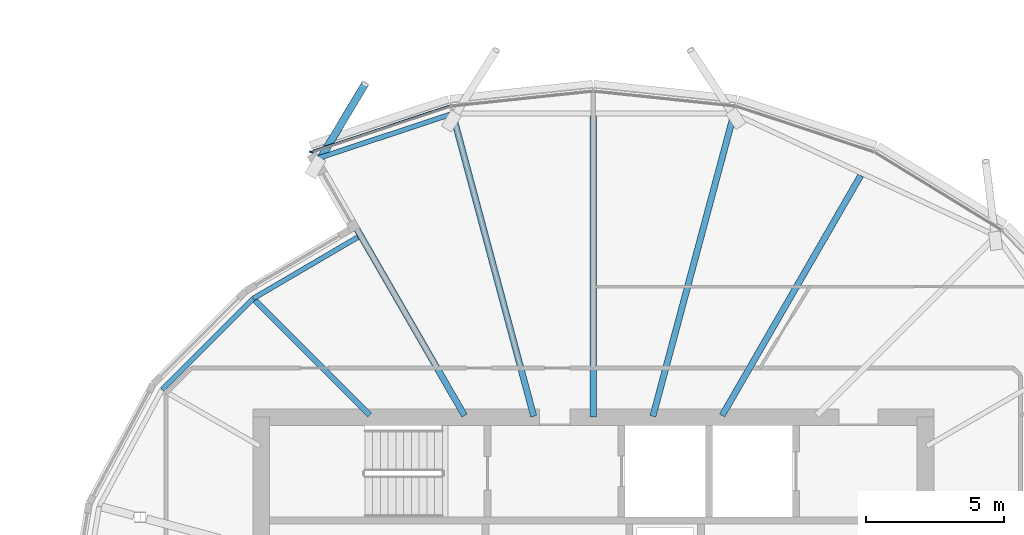
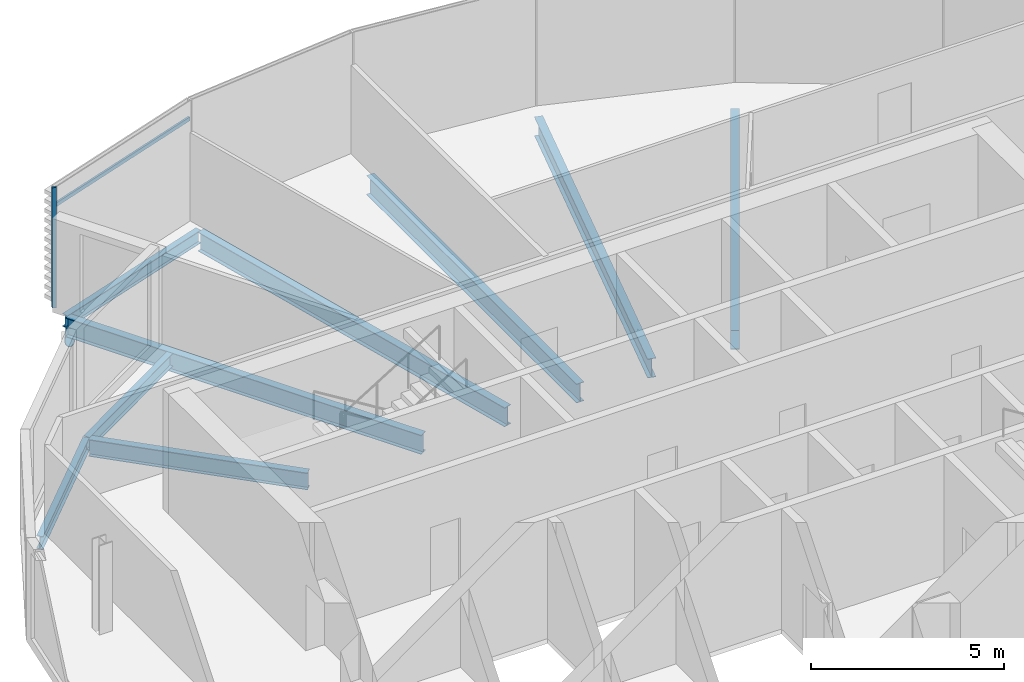
# One storey, part 8 of 37: 9 beams, 3 members, 1 element without a shape of its own.
"""IFC4 building model written with IfcOpenShell, lengths in metres."""

from ifc_helpers import new_model, si_unit, direction, frame, origin, origin_2d, place, context, subcontext, project, spatial, rectangle, hollow_circle, i_section, extrude, clip, halfspace, material, material_profile, profile_set, type_object, element, aggregate, save


model = new_model("IFC4")

# Units and contexts
model_context = context("Model", 3, precision=1e-05, world=origin(), true_north=direction((0.0, 1.0)))
body_context = subcontext(model_context, "Body", "Model", "MODEL_VIEW")
ifc_project = project(units=[si_unit("LENGTHUNIT", "METRE"), si_unit("AREAUNIT", "SQUARE_METRE"), si_unit("VOLUMEUNIT", "CUBIC_METRE"), si_unit("PLANEANGLEUNIT", "RADIAN"), si_unit("MASSUNIT", "GRAM", prefix="KILO")], contexts=[model_context])

# Site, building, storey
site_placement = place(None, origin())
site = spatial("IfcSite", under=ifc_project, at=site_placement, CompositionType="ELEMENT")
building_placement = place(site_placement, origin())
building = spatial("IfcBuilding", under=site, at=building_placement, Name="Rimbun Link Towers", CompositionType="ELEMENT")
storey_placement = place(building_placement, frame((0.0, 0.0, 177.89990234375)))
storey = spatial("IfcBuildingStorey", under=building, at=storey_placement, Name="L43", CompositionType="ELEMENT", Elevation=177.89990234375)

# Curtain wall, members
ifc_material_1 = material(Name="Aluminium 6063-T6 and low-iron glass", Category="aluminium")
curtain_wall_type = type_object("IfcCurtainWallType", Name="CW1-Z3 unitised vision wall (zone 3)", PredefinedType="NOTDEFINED", material=ifc_material_1)
curtain_wall_placement = place(storey_placement, origin())
curtain_wall = element("IfcCurtainWall", 1, at=curtain_wall_placement, inside=storey, type_object=curtain_wall_type, Name="CW1 L43 T1", PredefinedType="NOTDEFINED")
ifc_material_2 = material(Name="Aluminium 6063-T6", Category="aluminium")
ifc_material_profile_1 = material_profile(ifc_material_2, rectangle(XDim=0.1201171875, YDim=0.06005859375, at=origin_2d()), Name="MULLION 60X120")
ifc_profile_set_1 = profile_set([ifc_material_profile_1], Name="Aluminium 6063-T6")
member_type_1 = type_object("IfcMemberType", Name="CW1 mullion 60X120", PredefinedType="MULLION", material=ifc_profile_set_1)
member_1_placement = place(storey_placement, frame((-41.940673828125, 17.574951171875, 0.0), z_axis=(0.0, 0.0, 1.0), x_axis=(-0.934621313605, 0.355644485626, 0.0)))
member_1 = element("IfcMember", 2, at=member_1_placement, type_object=member_type_1, Name="CW1 mullion", PredefinedType="MULLION", context=body_context, shape_type="SweptSolid", body=[
    extrude(rectangle(XDim=0.1201171875, YDim=0.06005859375, at=origin_2d()), origin(), (0.0, 0.0, 1.0), 3.800048828125),
])
ifc_material_3 = material(Name="Aluminium 6063-T6", Category="aluminium")
ifc_material_profile_2 = material_profile(ifc_material_3, rectangle(XDim=0.06005859375, YDim=0.1201171875, at=origin_2d()), Name="TRANSOM 60X120")
ifc_profile_set_2 = profile_set([ifc_material_profile_2], Name="Aluminium 6063-T6")
member_type_2 = type_object("IfcMemberType", Name="CW1 transom 60X120", PredefinedType="USERDEFINED", material=ifc_profile_set_2)
member_2_placement = place(storey_placement, frame((-41.874267578125, 17.6181640625, 3.2001953125), z_axis=(0.949241076182, 0.314549486231, 0.0), x_axis=(-0.314549486231, 0.949241076182, 0.0)))
member_2 = element("IfcMember", 3, at=member_2_placement, type_object=member_type_2, Name="CW1 transom", ObjectType="TRANSOM", PredefinedType="USERDEFINED", context=body_context, shape_type="SweptSolid", body=[
    extrude(rectangle(XDim=0.06005859375, YDim=0.1201171875, at=origin_2d()), origin(), (0.0, 0.0, 1.0), 5.19482421875),
])
aggregate(curtain_wall, [member_1, member_2])

# Member
ifc_material_4 = material(Name="Steel S355J2H", Category="steel")
ifc_material_profile_3 = material_profile(ifc_material_4, hollow_circle(Radius=0.136474609375, WallThickness=0.012451171875, at=origin_2d()), Name="CHS 273x12.5")
ifc_profile_set_3 = profile_set([ifc_material_profile_3], Name="Steel S355J2H")
member_type_3 = type_object("IfcMemberType", Name="Floor edge link CHS 273x12.5", PredefinedType="BRACE", material=ifc_profile_set_3)
member_3_placement = place(storey_placement, frame((-41.68603515625, 17.209716796875, -0.874267578125), z_axis=(0.45607196247, 0.76242233449, -0.459032187237), x_axis=(-0.85817816592, 0.513351960684, 0.0)))
element("IfcMember", 4, at=member_3_placement, inside=storey, type_object=member_type_3, Name="Floor edge link T1 L43 08", PredefinedType="BRACE", context=body_context, shape_type="Clipping", body=[
    clip(extrude(hollow_circle(Radius=0.136474609375, WallThickness=0.012451171875, at=origin_2d()), frame((0.0, 0.0, -0.550048828125)), (0.0, 0.0, 1.0), 4.261474609375), halfspace(frame((0.0, 0.0, -0.260986328125), z_axis=(0.0, 0.888419636816, -0.459032187237)), False)),
])

# Beams
ifc_material_5 = material(Name="Steel S355J2", Category="steel")
ifc_material_profile_4 = material_profile(ifc_material_5, i_section(OverallWidth=0.177978515625, OverallDepth=0.406494140625, WebThickness=0.0078125, FlangeThickness=0.0126953125, at=origin_2d()), Name="UB 406x178x60")
ifc_profile_set_4 = profile_set([ifc_material_profile_4], Name="Steel S355J2")
beam_type_1 = type_object("IfcBeamType", Name="UB 406x178x60", PredefinedType="BEAM", material=ifc_profile_set_4)
beam_1_placement = place(storey_placement, frame((-36.831787109375, 18.9619140625, -0.35302734375), z_axis=(-0.949391651169, -0.314094719298, 0.0), x_axis=(0.314094719298, -0.949391651169, 0.0)))
element("IfcBeam", 5, at=beam_1_placement, inside=storey, type_object=beam_type_1, Name="Edge beam T1 L43 07", PredefinedType="BEAM", context=body_context, shape_type="SweptSolid", body=[
    extrude(i_section(OverallWidth=0.177978515625, OverallDepth=0.406494140625, WebThickness=0.0078125, FlangeThickness=0.0126953125, at=origin_2d()), origin(), (0.0, 0.0, 1.0), 5.186767578125),
])
beam_2_placement = place(storey_placement, frame((-40.256103515625, 14.502197265625, -0.35302734375), z_axis=(-0.862621463811, -0.505849987815, 0.0), x_axis=(0.505849987815, -0.862621463811, 0.0)))
element("IfcBeam", 6, at=beam_2_placement, inside=storey, type_object=beam_type_1, Name="Edge beam T1 L43 08 recess", PredefinedType="BEAM", context=body_context, shape_type="SweptSolid", body=[
    extrude(i_section(OverallWidth=0.177978515625, OverallDepth=0.406494140625, WebThickness=0.0078125, FlangeThickness=0.0126953125, at=origin_2d()), origin(), (0.0, 0.0, 1.0), 4.369384765625),
])
beam_3_placement = place(storey_placement, frame((-44.044677734375, 12.277099609375, -0.35302734375), z_axis=(-0.707185886227, -0.707027667295, 0.0), x_axis=(0.707027667295, -0.707185886227, 0.0)))
element("IfcBeam", 7, at=beam_3_placement, inside=storey, type_object=beam_type_1, Name="Edge beam T1 L43 09 recess", PredefinedType="BEAM", context=body_context, shape_type="SweptSolid", body=[
    extrude(i_section(OverallWidth=0.177978515625, OverallDepth=0.406494140625, WebThickness=0.0078125, FlangeThickness=0.0126953125, at=origin_2d()), origin(), (0.0, 0.0, 1.0), 4.629150390625),
])
ifc_material_6 = material(Name="Steel S355J2", Category="steel")
ifc_material_profile_5 = material_profile(ifc_material_6, i_section(OverallWidth=0.209228515625, OverallDepth=0.533203125, WebThickness=0.010009765625, FlangeThickness=0.015625, at=origin_2d()), Name="UB 533x210x92")
ifc_profile_set_5 = profile_set([ifc_material_profile_5], Name="Steel S355J2")
beam_type_2 = type_object("IfcBeamType", Name="UB 533x210x92", PredefinedType="BEAM", material=ifc_profile_set_5)
beam_4_placement = place(storey_placement, frame((-39.82470703125, 8.07470703125, -0.41650390625), z_axis=(-0.707106781187, 0.707106781187, 0.0), x_axis=(-0.707106781187, -0.707106781187, 0.0)))
element("IfcBeam", 8, at=beam_4_placement, inside=storey, type_object=beam_type_2, Name="Radial beam T1 L43 09", PredefinedType="BEAM", context=body_context, shape_type="SweptSolid", body=[
    extrude(i_section(OverallWidth=0.209228515625, OverallDepth=0.533203125, WebThickness=0.010009765625, FlangeThickness=0.015625, at=origin_2d()), origin(), (0.0, 0.0, 1.0), 5.86474609375),
])
ifc_material_7 = material(Name="Steel S355J2", Category="steel")
ifc_material_profile_6 = material_profile(ifc_material_7, i_section(OverallWidth=0.2275390625, OverallDepth=0.6025390625, WebThickness=0.010498046875, FlangeThickness=0.014892578125, at=origin_2d()), Name="UB 610x229x101")
ifc_profile_set_6 = profile_set([ifc_material_profile_6], Name="Steel S355J2")
beam_type_3 = type_object("IfcBeamType", Name="UB 610x229x101", PredefinedType="BEAM", material=ifc_profile_set_6)
beam_5_placement = place(storey_placement, frame((-27.097900390625, 8.057861328125, -0.451171875), z_axis=(0.500001751638, 0.866024392473, 0.0), x_axis=(-0.866024392473, 0.500001751638, 0.0)))
element("IfcBeam", 9, at=beam_5_placement, inside=storey, type_object=beam_type_3, Name="Radial beam T1 L43 04", PredefinedType="BEAM", context=body_context, shape_type="SweptSolid", body=[
    extrude(i_section(OverallWidth=0.2275390625, OverallDepth=0.6025390625, WebThickness=0.010498046875, FlangeThickness=0.014892578125, at=origin_2d()), origin(), (0.0, 0.0, 1.0), 10.01318359375),
])
beam_6_placement = place(storey_placement, frame((-29.598388671875, 8.030517578125, -0.451171875), z_axis=(0.258825223364, 0.965924170808, 0.0), x_axis=(-0.965924170808, 0.258825223364, 0.0)))
element("IfcBeam", 10, at=beam_6_placement, inside=storey, type_object=beam_type_3, Name="Radial beam T1 L43 05", PredefinedType="BEAM", context=body_context, shape_type="SweptSolid", body=[
    extrude(i_section(OverallWidth=0.2275390625, OverallDepth=0.6025390625, WebThickness=0.010498046875, FlangeThickness=0.014892578125, at=origin_2d()), origin(), (0.0, 0.0, 1.0), 11.3173828125),
])
beam_7_placement = place(storey_placement, frame((-31.75, 8.0009765625, -0.451171875), z_axis=(0.0, 1.0, 0.0), x_axis=(-1.0, 0.0, 0.0)))
element("IfcBeam", 11, at=beam_7_placement, inside=storey, type_object=beam_type_3, Name="Radial beam T1 L43 06", PredefinedType="BEAM", context=body_context, shape_type="SweptSolid", body=[
    extrude(i_section(OverallWidth=0.2275390625, OverallDepth=0.6025390625, WebThickness=0.010498046875, FlangeThickness=0.014892578125, at=origin_2d()), origin(), (0.0, 0.0, 1.0), 10.871337890625),
])
beam_8_placement = place(storey_placement, frame((-33.901611328125, 8.030517578125, -0.451171875), z_axis=(-0.258838620291, 0.965920580921, 0.0), x_axis=(-0.965920580921, -0.258838620291, 0.0)))
element("IfcBeam", 12, at=beam_8_placement, inside=storey, type_object=beam_type_3, Name="Radial beam T1 L43 07", PredefinedType="BEAM", context=body_context, shape_type="SweptSolid", body=[
    extrude(i_section(OverallWidth=0.2275390625, OverallDepth=0.6025390625, WebThickness=0.010498046875, FlangeThickness=0.014892578125, at=origin_2d()), origin(), (0.0, 0.0, 1.0), 11.22705078125),
])
beam_9_placement = place(storey_placement, frame((-36.402099609375, 8.057861328125, -0.451171875), z_axis=(-0.500004428835, 0.86602284678, 0.0), x_axis=(-0.86602284678, -0.500004428835, 0.0)))
element("IfcBeam", 13, at=beam_9_placement, inside=storey, type_object=beam_type_3, Name="Radial beam T1 L43 08", PredefinedType="BEAM", context=body_context, shape_type="SweptSolid", body=[
    extrude(i_section(OverallWidth=0.2275390625, OverallDepth=0.6025390625, WebThickness=0.010498046875, FlangeThickness=0.014892578125, at=origin_2d()), origin(), (0.0, 0.0, 1.0), 10.61767578125),
])

save(model, "model.ifc")
